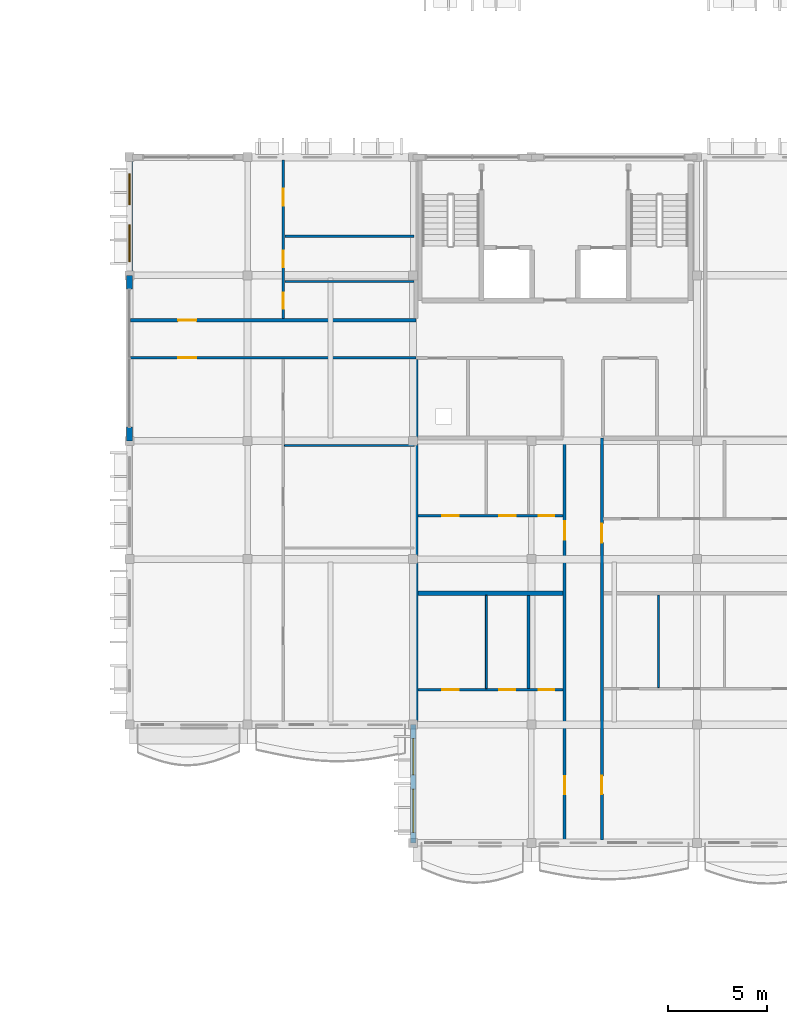
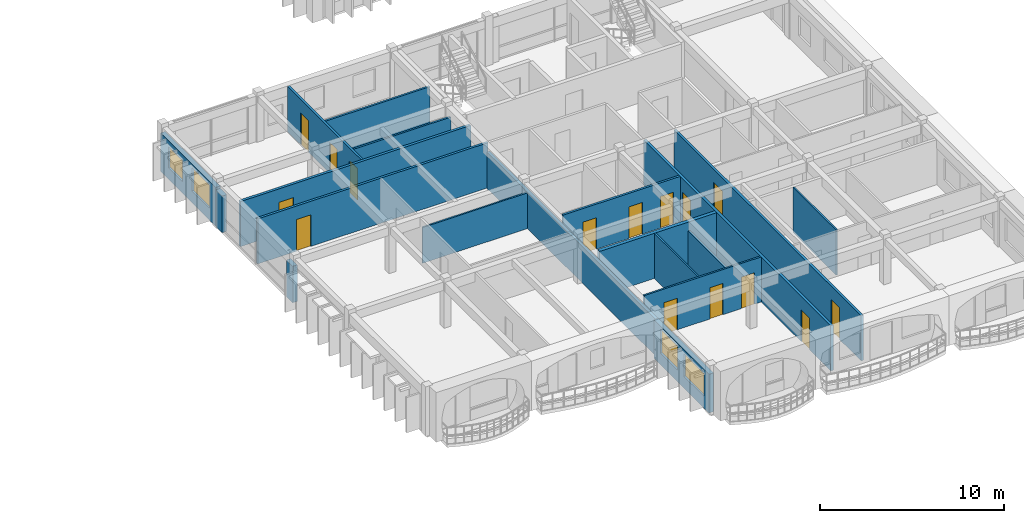
# One storey, part 40 of 76: 19 walls, 15 doors, 4 windows, 19 openings.
"""IFC4 building model written with IfcOpenShell, lengths in metres."""

import ifcopenshell
import ifcopenshell.guid

model = None  # the IFC model being written
_history = None  # IfcOwnerHistory: only IFC2X3 demands one
_inside = {}  # id of a spatial element -> (the spatial element, [elements in it])
_under = {}  # id of a project, library or spatial element -> (it, [spatial elements below it])
_declared = {}  # id of a project -> (the project, [libraries it declares])
_typed = {}  # id of a type object -> (the type object, [elements of that type])
_made_of = {}  # id of a material, layer set ... -> (it, [elements and type objects made of it])


def new_model(schema):
    """Start an empty IFC model of exactly this schema.

    Asked for "IFC4X3", IfcOpenShell would pick the latest addendum, in which some entities
    have other attributes; the version numbers below select the first issue.
    IFC2X3 requires an IfcOwnerHistory on every rooted entity: one is made here for all.
    """
    global model, _history
    if schema == "IFC4X3":
        model = ifcopenshell.file(schema_version=(4, 3, 0, 0))
    else:
        model = ifcopenshell.file(schema=schema)
    _inside.clear()
    _under.clear()
    _declared.clear()
    _typed.clear()
    _made_of.clear()
    _history = None
    if model.schema == "IFC2X3":
        org = make("IfcOrganization", Name="unknown")
        user = make(
            "IfcPersonAndOrganization",
            ThePerson=make("IfcPerson", FamilyName="unknown"),
            TheOrganization=org,
        )
        app = make(
            "IfcApplication",
            ApplicationDeveloper=org,
            Version="unknown",
            ApplicationFullName="unknown",
            ApplicationIdentifier="unknown",
        )
        _history = make(
            "IfcOwnerHistory",
            OwningUser=user,
            OwningApplication=app,
            ChangeAction="ADDED",
            CreationDate=0,
        )
    return model


def make(cls, **values):
    """One entity of the class cls with the attributes given. An attribute that is None is left unset."""
    return model.create_entity(
        cls, **{name: value for name, value in values.items() if value is not None}
    )


def rooted(cls, **values):
    """An entity with a GlobalId (a new one), such as an element, a storey or a relation."""
    return make(cls, GlobalId=ifcopenshell.guid.new(), OwnerHistory=_history, **values)


def si_unit(unit_type, name, prefix=None):
    """IfcSIUnit, for example si_unit("LENGTHUNIT", "METRE", prefix="MILLI")."""
    return make("IfcSIUnit", UnitType=unit_type, Prefix=prefix, Name=name)


def assignment(units):
    """IfcUnitAssignment: the units of a project."""
    return None if units is None else make("IfcUnitAssignment", Units=units)


def point(xyz):
    """IfcCartesianPoint."""
    return None if xyz is None else make("IfcCartesianPoint", Coordinates=xyz)


def direction(xyz):
    """IfcDirection."""
    return None if xyz is None else make("IfcDirection", DirectionRatios=xyz)


def frame(location, z_axis=None, x_axis=None):
    """IfcAxis2Placement3D, a coordinate frame: its origin and axes. An axis left out is left unset."""
    return make(
        "IfcAxis2Placement3D",
        Location=point(location),
        Axis=direction(z_axis),
        RefDirection=direction(x_axis),
    )


def frame_2d(location, x_axis=None):
    """IfcAxis2Placement2D, a coordinate frame in the plane: its origin and x axis."""
    return make(
        "IfcAxis2Placement2D", Location=point(location), RefDirection=direction(x_axis)
    )


def origin():
    """The frame at (0, 0, 0) with its axes left unset."""
    return frame((0.0, 0.0, 0.0))


def place(relative_to, where):
    """IfcLocalPlacement: puts the frame where relative to a parent placement (None: the world)."""
    return make(
        "IfcLocalPlacement", PlacementRelTo=relative_to, RelativePlacement=where
    )


def context(
    kind, dimensions, precision=None, world=None, true_north=None, identifier=None
):
    """IfcGeometricRepresentationContext, for example the 3D "Model" context."""
    return make(
        "IfcGeometricRepresentationContext",
        ContextIdentifier=identifier,
        ContextType=kind,
        CoordinateSpaceDimension=dimensions,
        Precision=precision,
        WorldCoordinateSystem=world,
        TrueNorth=true_north,
    )


def subcontext(parent, identifier, kind, view, scale=None):
    """IfcGeometricRepresentationSubContext, for example "Body" below "Model"."""
    return make(
        "IfcGeometricRepresentationSubContext",
        ContextIdentifier=identifier,
        ContextType=kind,
        ParentContext=parent,
        TargetScale=scale,
        TargetView=view,
    )


def project(units=None, contexts=None):
    """IfcProject with its units and contexts."""
    return rooted(
        "IfcProject",
        Name="project",
        RepresentationContexts=contexts,
        UnitsInContext=assignment(units),
    )


def spatial(cls, under=None, at=None, **own):
    """A site, building, storey or space (cls), placed at a placement, below another one or the project."""
    s = rooted(cls, ObjectPlacement=at, **own)
    if under is not None:
        _under.setdefault(under.id(), (under, []))[1].append(s)
    return s


def profile(cls, at=None, kind="AREA", **sizes):
    """A parametric profile (cls). Its sizes go by their IFC names, for example OverallWidth=200.0."""
    return make(cls, ProfileType=kind, Position=at, **sizes)


def rectangle(**sizes):
    """IfcRectangleProfileDef."""
    return profile("IfcRectangleProfileDef", **sizes)


def extrude(swept, where, along, depth):
    """IfcExtrudedAreaSolid: the profile swept, set in the frame where, extruded along a direction by depth."""
    return make(
        "IfcExtrudedAreaSolid",
        SweptArea=swept,
        Position=where,
        ExtrudedDirection=direction(along),
        Depth=depth,
    )


def shape(context_of_items, identifier, shape_type, items):
    """IfcShapeRepresentation: the items that make up one representation, for example the "Body"."""
    return make(
        "IfcShapeRepresentation",
        ContextOfItems=context_of_items,
        RepresentationIdentifier=identifier,
        RepresentationType=shape_type,
        Items=items,
    )


def material(Name=None, Category=None):
    """IfcMaterial."""
    return make("IfcMaterial", Name=Name, Category=Category)


def layer(
    of_material, thickness, ventilated=None, Name=None, Category=None, Priority=None
):
    """IfcMaterialLayer: one layer of a wall or slab, of a material (None: an air gap)."""
    return make(
        "IfcMaterialLayer",
        Material=of_material,
        LayerThickness=thickness,
        IsVentilated=ventilated,
        Name=Name,
        Category=Category,
        Priority=Priority,
    )


def layer_set(layers, Name=None):
    """IfcMaterialLayerSet."""
    return make("IfcMaterialLayerSet", MaterialLayers=layers, LayerSetName=Name)


def made_of(thing, what):
    """Note that an element or type object is made of a material, layer set ...; save() writes the relation."""
    if what is not None:
        _made_of.setdefault(what.id(), (what, []))[1].append(thing)
    return thing


def type_object(cls, material=None, **own):
    """A type object (cls), such as IfcWallType, which elements share."""
    return made_of(rooted(cls, **own), material)


def element(
    cls,
    number,
    at=None,
    inside=None,
    cuts=None,
    type_object=None,
    material=None,
    context=None,
    identifier="Body",
    shape_type=None,
    held_by="IfcProductDefinitionShape",
    body=None,
    shapes=None,
    **own,
):
    """One element of the class cls, such as IfcWall. Its Tag is "e" and its number.

    at: its placement. inside: the storey or other place that contains it. cuts: it is an
    opening in that element (IfcRelVoidsElement). A single representation is given by context,
    identifier, shape_type and body (its items); several are given by shapes. held_by: the class
    of the entity that holds the representations. save() writes the other relations.
    """
    e = rooted(cls, Tag="e%d" % number, ObjectPlacement=at, **own)
    if body is not None:
        shapes = [shape(context, identifier, shape_type, body)]
    if shapes is not None:
        e.Representation = make(held_by, Representations=shapes)
    if inside is not None:
        _inside.setdefault(inside.id(), (inside, []))[1].append(e)
    if cuts is not None:
        rooted(
            "IfcRelVoidsElement", RelatingBuildingElement=cuts, RelatedOpeningElement=e
        )
    if type_object is not None:
        _typed.setdefault(type_object.id(), (type_object, []))[1].append(e)
    return made_of(e, material)


def fill(opening, filler):
    """IfcRelFillsElement: the door or window that sits in an opening."""
    return rooted(
        "IfcRelFillsElement",
        RelatingOpeningElement=opening,
        RelatedBuildingElement=filler,
    )


def aggregate(whole, parts):
    """IfcRelAggregates: a whole, such as a stair, and the parts it consists of."""
    return rooted("IfcRelAggregates", RelatingObject=whole, RelatedObjects=parts)


def save(model, path):
    """Write the relations noted so far, then the file.

    IfcRelAggregates (storeys below a building ...), IfcRelContainedInSpatialStructure (elements
    in a storey), IfcRelDefinesByType, IfcRelAssociatesMaterial and IfcRelDeclares: one each for
    every whole, place, type object, material and project.
    """
    for whole, parts in _under.values():
        aggregate(whole, parts)
    for where, things in _inside.values():
        rooted(
            "IfcRelContainedInSpatialStructure",
            RelatedElements=things,
            RelatingStructure=where,
        )
    for kind, things in _typed.values():
        rooted("IfcRelDefinesByType", RelatedObjects=things, RelatingType=kind)
    for what, things in _made_of.values():
        rooted("IfcRelAssociatesMaterial", RelatedObjects=things, RelatingMaterial=what)
    for by, libraries in _declared.values():
        rooted("IfcRelDeclares", RelatingContext=by, RelatedDefinitions=libraries)
    model.write(path)


model = new_model("IFC4")

# Units and contexts
model_context = context("Model", 3, precision=1e-05, world=origin(), true_north=direction((0.0, 1.0)))
body_context = subcontext(model_context, "Body", "Model", "MODEL_VIEW")
ifc_project = project(units=[si_unit("LENGTHUNIT", "METRE"), si_unit("AREAUNIT", "SQUARE_METRE"), si_unit("VOLUMEUNIT", "CUBIC_METRE"), si_unit("PLANEANGLEUNIT", "RADIAN"), si_unit("MASSUNIT", "GRAM", prefix="KILO"), si_unit("THERMODYNAMICTEMPERATUREUNIT", "KELVIN")], contexts=[model_context])

# Site, building, storey
site_placement = place(None, origin())
site = spatial("IfcSite", under=ifc_project, at=site_placement, CompositionType="ELEMENT")
building_placement = place(site_placement, origin())
building = spatial("IfcBuilding", under=site, at=building_placement, Name="Thalorik Housing Commons", CompositionType="ELEMENT")
storey_placement = place(building_placement, frame((0.0, 0.0, 18.0)))
storey = spatial("IfcBuildingStorey", under=building, at=storey_placement, Name="L05", CompositionType="ELEMENT", Elevation=18.0)

# Wall, openings, doors
ifc_material_1 = material(Name="Masonry fire-rated corridor wall", Category="masonry")
ifc_layer_1 = layer(ifc_material_1, 0.14990234375, Name="Masonry fire-rated corridor wall", Category="masonry")
ifc_layer_set_1 = layer_set([ifc_layer_1], Name="Masonry fire-rated corridor wall")
wall_type_1 = type_object("IfcWallType", Name="ARC-WAL-CORR-150", PredefinedType="PARTITIONING", material=ifc_layer_set_1)
wall_1_placement = place(storey_placement, frame((161.97998046875, 37.346923828125, 0.0), z_axis=(0.0, 0.0, 1.0), x_axis=(0.0, 1.0, 0.0)))
wall_1 = element("IfcWall", 1, at=wall_1_placement, inside=storey, type_object=wall_type_1, Name="L05 Block D E Corridor Wall 2", PredefinedType="PARTITIONING", context=body_context, shape_type="SweptSolid", body=[
    extrude(rectangle(XDim=20.39306640625, YDim=0.14990234375, at=frame_2d((10.196533203125, 0.0))), origin(), (0.0, 0.0, 1.0), 3.0),
])
opening_1_placement = place(wall_1_placement, frame((2.326171875, 0.0, 0.0)))
opening_1 = element("IfcOpeningElement", 2, at=opening_1_placement, cuts=wall_1, Name="Opening ID-2089", PredefinedType="OPENING", context=body_context, shape_type="SweptSolid", body=[
    extrude(rectangle(XDim=0.919921875, YDim=2.10009765625, at=frame_2d((0.4599609375, 1.050048828125))), frame((0.0, 0.0849609375, 0.0), z_axis=(0.0, -1.0, 0.0), x_axis=(1.0, 0.0, 0.0)), (0.0, 0.0, 1.0), 0.169921875),
])
opening_2_placement = place(wall_1_placement, frame((15.090576171875, 0.0, 0.0)))
opening_2 = element("IfcOpeningElement", 3, at=opening_2_placement, cuts=wall_1, Name="Opening ID-2090", PredefinedType="OPENING", context=body_context, shape_type="SweptSolid", body=[
    extrude(rectangle(XDim=0.9599609375, YDim=2.1201171875, at=frame_2d((0.47998046875, 1.06005859375))), frame((0.0, 0.0849609375, 0.0), z_axis=(0.0, -1.0, 0.0), x_axis=(1.0, 0.0, 0.0)), (0.0, 0.0, 1.0), 0.169921875),
])
ifc_material_2 = material(Name="Solid core hardwood timber", Category="wood")
door_type_1 = type_object("IfcDoorType", Name="ARC-DR-FD30-920", OperationType="NOTDEFINED", PredefinedType="DOOR", material=ifc_material_2)
door_1_placement = place(opening_1_placement, origin())
door_1 = element("IfcDoor", 4, at=door_1_placement, inside=storey, type_object=door_type_1, Name="L05 Flat DE-1B Entrance Door", OperationType="SINGLE_SWING_RIGHT", OverallHeight=2.10009765625, OverallWidth=0.919921875, PredefinedType="DOOR", context=body_context, shape_type="SweptSolid", body=[
    extrude(rectangle(XDim=0.919921875, YDim=2.10009765625, at=frame_2d((0.4599609375, 1.050048828125))), frame((0.0, 0.02490234375, 0.0), z_axis=(0.0, -1.0, 0.0), x_axis=(1.0, 0.0, 0.0)), (0.0, 0.0, 1.0), 0.050048828125),
])
fill(opening_1, door_1)
door_type_2 = type_object("IfcDoorType", Name="ARC-DR-FD30-960", OperationType="NOTDEFINED", PredefinedType="DOOR", material=ifc_material_2)
door_2_placement = place(opening_2_placement, origin())
door_2 = element("IfcDoor", 5, at=door_2_placement, inside=storey, type_object=door_type_2, Name="L05 Flat DE-2B Entrance Door", OperationType="SINGLE_SWING_LEFT", OverallHeight=2.1201171875, OverallWidth=0.9599609375, PredefinedType="DOOR", context=body_context, shape_type="SweptSolid", body=[
    extrude(rectangle(XDim=0.9599609375, YDim=2.1201171875, at=frame_2d((0.47998046875, 1.06005859375))), frame((0.0, 0.02490234375, 0.0), z_axis=(0.0, -1.0, 0.0), x_axis=(1.0, 0.0, 0.0)), (0.0, 0.0, 1.0), 0.050048828125),
])
fill(opening_2, door_2)

# Wall, opening, door
wall_2_placement = place(storey_placement, frame((138.06005859375, 61.820068359375, 0.0), z_axis=(0.0, 0.0, 1.0), x_axis=(1.0, 0.0, 0.0)))
wall_2 = element("IfcWall", 6, at=wall_2_placement, inside=storey, type_object=wall_type_1, Name="L05 Block D R Corridor Wall 1", PredefinedType="PARTITIONING", context=body_context, shape_type="SweptSolid", body=[
    extrude(rectangle(XDim=14.47998046875, YDim=0.14990234375, at=frame_2d((7.239990234375, 0.0))), origin(), (0.0, 0.0, 1.0), 3.0),
])
opening_3_placement = place(wall_2_placement, frame((2.40869140625, 0.0, 0.0)))
opening_3 = element("IfcOpeningElement", 7, at=opening_3_placement, cuts=wall_2, Name="Opening ID-2098", PredefinedType="OPENING", context=body_context, shape_type="SweptSolid", body=[
    extrude(rectangle(XDim=0.919921875, YDim=2.10009765625, at=frame_2d((0.4599609375, 1.050048828125))), frame((0.0, 0.0849609375, 0.0), z_axis=(0.0, -1.0, 0.0), x_axis=(1.0, 0.0, 0.0)), (0.0, 0.0, 1.0), 0.169921875),
])
door_3_placement = place(opening_3_placement, origin())
door_3 = element("IfcDoor", 8, at=door_3_placement, inside=storey, type_object=door_type_1, Name="L05 Flat DR-1A Entrance Door", OperationType="SINGLE_SWING_LEFT", OverallHeight=2.10009765625, OverallWidth=0.919921875, PredefinedType="DOOR", context=body_context, shape_type="SweptSolid", body=[
    extrude(rectangle(XDim=0.919921875, YDim=2.10009765625, at=frame_2d((0.4599609375, 1.050048828125))), frame((0.0, 0.02490234375, 0.0), z_axis=(0.0, -1.0, 0.0), x_axis=(1.0, 0.0, 0.0)), (0.0, 0.0, 1.0), 0.050048828125),
])
fill(opening_3, door_3)

# Wall, openings, doors
ifc_layer_2 = layer(ifc_material_1, 0.1650390625, Name="Masonry fire-rated corridor wall", Category="masonry")
ifc_layer_set_2 = layer_set([ifc_layer_2], Name="Masonry fire-rated corridor wall")
wall_type_2 = type_object("IfcWallType", Name="ARC-WAL-CORR-165", PredefinedType="PARTITIONING", material=ifc_layer_set_2)
wall_3_placement = place(storey_placement, frame((160.080078125, 37.346923828125, 0.0), z_axis=(0.0, 0.0, 1.0), x_axis=(0.0, 1.0, 0.0)))
wall_3 = element("IfcWall", 9, at=wall_3_placement, inside=storey, type_object=wall_type_2, Name="L05 Block D E Corridor Wall 1", PredefinedType="PARTITIONING", context=body_context, shape_type="SweptSolid", body=[
    extrude(rectangle(XDim=20.39306640625, YDim=0.1650390625, at=frame_2d((10.196533203125, 0.0))), origin(), (0.0, 0.0, 1.0), 3.0),
])
opening_4_placement = place(wall_3_placement, frame((2.309814453125, 0.0, 0.0)))
opening_4 = element("IfcOpeningElement", 10, at=opening_4_placement, cuts=wall_3, Name="Opening ID-2087", PredefinedType="OPENING", context=body_context, shape_type="SweptSolid", body=[
    extrude(rectangle(XDim=0.919921875, YDim=2.10009765625, at=frame_2d((0.4599609375, 1.050048828125))), frame((0.0, 0.092529296875, 0.0), z_axis=(0.0, -1.0, 0.0), x_axis=(1.0, 0.0, 0.0)), (0.0, 0.0, 1.0), 0.18505859375),
])
opening_5_placement = place(wall_3_placement, frame((15.248046875, 0.0, 0.0)))
opening_5 = element("IfcOpeningElement", 11, at=opening_5_placement, cuts=wall_3, Name="Opening ID-2088", PredefinedType="OPENING", context=body_context, shape_type="SweptSolid", body=[
    extrude(rectangle(XDim=0.919921875, YDim=2.10009765625, at=frame_2d((0.4599609375, 1.050048828125))), frame((0.0, 0.092529296875, 0.0), z_axis=(0.0, -1.0, 0.0), x_axis=(1.0, 0.0, 0.0)), (0.0, 0.0, 1.0), 0.18505859375),
])
door_4_placement = place(opening_4_placement, origin())
door_4 = element("IfcDoor", 12, at=door_4_placement, inside=storey, type_object=door_type_1, Name="L05 Flat DE-1A Entrance Door", OperationType="SINGLE_SWING_RIGHT", OverallHeight=2.10009765625, OverallWidth=0.919921875, PredefinedType="DOOR", context=body_context, shape_type="SweptSolid", body=[
    extrude(rectangle(XDim=0.919921875, YDim=2.10009765625, at=frame_2d((0.4599609375, 1.050048828125))), frame((0.0, 0.02490234375, 0.0), z_axis=(0.0, -1.0, 0.0), x_axis=(1.0, 0.0, 0.0)), (0.0, 0.0, 1.0), 0.050048828125),
])
fill(opening_4, door_4)
door_5_placement = place(opening_5_placement, origin())
door_5 = element("IfcDoor", 13, at=door_5_placement, inside=storey, type_object=door_type_1, Name="L05 Flat DE-2A Entrance Door", OperationType="SINGLE_SWING_LEFT", OverallHeight=2.10009765625, OverallWidth=0.919921875, PredefinedType="DOOR", context=body_context, shape_type="SweptSolid", body=[
    extrude(rectangle(XDim=0.919921875, YDim=2.10009765625, at=frame_2d((0.4599609375, 1.050048828125))), frame((0.0, 0.02490234375, 0.0), z_axis=(0.0, -1.0, 0.0), x_axis=(1.0, 0.0, 0.0)), (0.0, 0.0, 1.0), 0.050048828125),
])
fill(opening_5, door_5)

# Wall, opening, door
wall_4_placement = place(storey_placement, frame((138.06005859375, 63.719970703125, 0.0), z_axis=(0.0, 0.0, 1.0), x_axis=(1.0, 0.0, 0.0)))
wall_4 = element("IfcWall", 14, at=wall_4_placement, inside=storey, type_object=wall_type_2, Name="L05 Block D R Corridor Wall 2", PredefinedType="PARTITIONING", context=body_context, shape_type="SweptSolid", body=[
    extrude(rectangle(XDim=14.47998046875, YDim=0.1650390625, at=frame_2d((7.239990234375, 0.0))), origin(), (0.0, 0.0, 1.0), 3.0),
])
opening_6_placement = place(wall_4_placement, frame((2.412353515625, 0.0, 0.0)))
opening_6 = element("IfcOpeningElement", 15, at=opening_6_placement, cuts=wall_4, Name="Opening ID-2099", PredefinedType="OPENING", context=body_context, shape_type="SweptSolid", body=[
    extrude(rectangle(XDim=0.919921875, YDim=2.10009765625, at=frame_2d((0.4599609375, 1.050048828125))), frame((0.0, 0.092529296875, 0.0), z_axis=(0.0, -1.0, 0.0), x_axis=(1.0, 0.0, 0.0)), (0.0, 0.0, 1.0), 0.18505859375),
])
door_6_placement = place(opening_6_placement, origin())
door_6 = element("IfcDoor", 16, at=door_6_placement, inside=storey, type_object=door_type_1, Name="L05 Flat DR-1B Entrance Door", OperationType="SINGLE_SWING_RIGHT", OverallHeight=2.10009765625, OverallWidth=0.919921875, PredefinedType="DOOR", context=body_context, shape_type="SweptSolid", body=[
    extrude(rectangle(XDim=0.919921875, YDim=2.10009765625, at=frame_2d((0.4599609375, 1.050048828125))), frame((0.0, 0.02490234375, 0.0), z_axis=(0.0, -1.0, 0.0), x_axis=(1.0, 0.0, 0.0)), (0.0, 0.0, 1.0), 0.050048828125),
])
fill(opening_6, door_6)

# Wall, openings, windows
ifc_material_3 = material(Name="White precast concrete C40/50", Category="concrete")
ifc_layer_3 = layer(ifc_material_3, 0.2900390625, Name="White precast concrete C40/50", Category="concrete")
ifc_layer_set_3 = layer_set([ifc_layer_3], Name="White precast concrete C40/50")
wall_type_3 = type_object("IfcWallType", Name="ARC-WAL-EXT-290", PredefinedType="STANDARD", material=ifc_layer_set_3)
wall_5_placement = place(storey_placement, frame((138.0, 72.0, 0.0), z_axis=(0.0, 0.0, 1.0), x_axis=(0.0, -1.0, 0.0)))
wall_5 = element("IfcWall", 17, at=wall_5_placement, inside=storey, type_object=wall_type_3, Name="L05 Exterior Wall WAL-EXT-L05-D-1207", PredefinedType="STANDARD", context=body_context, shape_type="SweptSolid", body=[
    extrude(rectangle(XDim=6.0, YDim=0.2900390625, at=frame_2d((3.0, 0.0))), origin(), (0.0, 0.0, 1.0), 2.574951171875),
])
opening_7_placement = place(wall_5_placement, frame((0.85498046875, 0.0, 0.780029296875)))
opening_7 = element("IfcOpeningElement", 18, at=opening_7_placement, cuts=wall_5, Name="Opening W-12", PredefinedType="OPENING", context=body_context, shape_type="SweptSolid", body=[
    extrude(rectangle(XDim=1.550048828125, YDim=1.39990234375, at=frame_2d((0.77490234375, 0.699951171875))), frame((0.0, 0.155029296875, 0.0), z_axis=(0.0, -1.0, 0.0), x_axis=(1.0, 0.0, 0.0)), (0.0, 0.0, 1.0), 0.31005859375),
])
opening_8_placement = place(wall_5_placement, frame((3.419921875, 0.0, 0.780029296875)))
opening_8 = element("IfcOpeningElement", 19, at=opening_8_placement, cuts=wall_5, Name="Opening W-21", PredefinedType="OPENING", context=body_context, shape_type="SweptSolid", body=[
    extrude(rectangle(XDim=1.89990234375, YDim=1.550048828125, at=frame_2d((0.949951171875, 0.77490234375))), frame((0.0, 0.155029296875, 0.0), z_axis=(0.0, -1.0, 0.0), x_axis=(1.0, 0.0, 0.0)), (0.0, 0.0, 1.0), 0.31005859375),
])
ifc_material_4 = material(Name="Anodised aluminium and solar-control low-E glass", Category="aluminium")
window_type_1 = type_object("IfcWindowType", Name="ARC-WIN-12", PartitioningType="SINGLE_PANEL", PredefinedType="WINDOW", material=ifc_material_4)
window_1_placement = place(opening_7_placement, origin())
window_1 = element("IfcWindow", 20, at=window_1_placement, inside=storey, type_object=window_type_1, Name="L05 Facade Window 2204", OverallHeight=1.39990234375, OverallWidth=1.550048828125, PartitioningType="SINGLE_PANEL", PredefinedType="WINDOW", context=body_context, shape_type="SweptSolid", body=[
    extrude(rectangle(XDim=1.550048828125, YDim=1.39990234375, at=frame_2d((0.77490234375, 0.699951171875))), frame((0.0, 0.030029296875, 0.0), z_axis=(0.0, -1.0, 0.0), x_axis=(1.0, 0.0, 0.0)), (0.0, 0.0, 1.0), 0.06005859375),
])
fill(opening_7, window_1)
window_type_2 = type_object("IfcWindowType", Name="ARC-WIN-21", PartitioningType="DOUBLE_PANEL_VERTICAL", PredefinedType="WINDOW", material=ifc_material_4)
window_2_placement = place(opening_8_placement, origin())
window_2 = element("IfcWindow", 21, at=window_2_placement, inside=storey, type_object=window_type_2, Name="L05 Facade Window 2205", OverallHeight=1.550048828125, OverallWidth=1.89990234375, PartitioningType="DOUBLE_PANEL_VERTICAL", PredefinedType="WINDOW", context=body_context, shape_type="SweptSolid", body=[
    extrude(rectangle(XDim=1.89990234375, YDim=1.550048828125, at=frame_2d((0.949951171875, 0.77490234375))), frame((0.0, 0.030029296875, 0.0), z_axis=(0.0, -1.0, 0.0), x_axis=(1.0, 0.0, 0.0)), (0.0, 0.0, 1.0), 0.06005859375),
])
fill(opening_8, window_2)

# Walls
for number, where, z_axis, x_axis, name in (
    (22, (138.0, 66.0, 0.0), (0.0, 0.0, 1.0), (0.0, -1.0, 0.0), "L05 Exterior Wall WAL-PIERL-L05-D-1208"),
    (23, (138.0, 58.300048828125, 0.0), (0.0, 0.0, 1.0), (0.0, -1.0, 0.0), "L05 Exterior Wall WAL-PIERR-L05-D-1208"),
):
    element("IfcWall", number, at=place(storey_placement, frame(where, z_axis=z_axis, x_axis=x_axis)), inside=storey, type_object=wall_type_3, Name=name, PredefinedType="STANDARD", context=body_context, shape_type="SweptSolid", body=[
        extrude(rectangle(XDim=0.699951171875, YDim=0.2900390625, at=frame_2d((0.35009765625, 0.0))), origin(), (0.0, 0.0, 1.0), 2.425048828125),
    ])

# Wall, openings, windows
wall_6_placement = place(storey_placement, frame((152.39990234375, 43.199951171875, 0.0), z_axis=(0.0, 0.0, 1.0), x_axis=(0.0, -1.0, 0.0)))
wall_6 = element("IfcWall", 24, at=wall_6_placement, inside=storey, type_object=wall_type_3, Name="L05 Exterior Wall WAL-EXT-L05-D-1213", PredefinedType="STANDARD", context=body_context, shape_type="SweptSolid", body=[
    extrude(rectangle(XDim=6.0, YDim=0.2900390625, at=frame_2d((3.0, 0.0))), origin(), (0.0, 0.0, 1.0), 2.574951171875),
])
opening_9_placement = place(wall_6_placement, frame((0.705078125, 0.0, 0.780029296875)))
opening_9 = element("IfcOpeningElement", 25, at=opening_9_placement, cuts=wall_6, Name="Opening W-20", PredefinedType="OPENING", context=body_context, shape_type="SweptSolid", body=[
    extrude(rectangle(XDim=1.85009765625, YDim=1.60009765625, at=frame_2d((0.925048828125, 0.800048828125))), frame((0.0, 0.155029296875, 0.0), z_axis=(0.0, -1.0, 0.0), x_axis=(1.0, 0.0, 0.0)), (0.0, 0.0, 1.0), 0.31005859375),
])
opening_10_placement = place(wall_6_placement, frame((3.27001953125, 0.0, 0.780029296875)))
opening_10 = element("IfcOpeningElement", 26, at=opening_10_placement, cuts=wall_6, Name="Opening W-29", PredefinedType="OPENING", context=body_context, shape_type="SweptSolid", body=[
    extrude(rectangle(XDim=2.199951171875, YDim=1.5, at=frame_2d((1.10009765625, 0.75))), frame((0.0, 0.155029296875, 0.0), z_axis=(0.0, -1.0, 0.0), x_axis=(1.0, 0.0, 0.0)), (0.0, 0.0, 1.0), 0.31005859375),
])
window_type_3 = type_object("IfcWindowType", Name="ARC-WIN-20", PartitioningType="DOUBLE_PANEL_VERTICAL", PredefinedType="WINDOW", material=ifc_material_4)
window_3_placement = place(opening_9_placement, origin())
window_3 = element("IfcWindow", 27, at=window_3_placement, inside=storey, type_object=window_type_3, Name="L05 Facade Window 2214", OverallHeight=1.60009765625, OverallWidth=1.85009765625, PartitioningType="DOUBLE_PANEL_VERTICAL", PredefinedType="WINDOW", context=body_context, shape_type="SweptSolid", body=[
    extrude(rectangle(XDim=1.85009765625, YDim=1.60009765625, at=frame_2d((0.925048828125, 0.800048828125))), frame((0.0, 0.030029296875, 0.0), z_axis=(0.0, -1.0, 0.0), x_axis=(1.0, 0.0, 0.0)), (0.0, 0.0, 1.0), 0.06005859375),
])
fill(opening_9, window_3)
window_type_4 = type_object("IfcWindowType", Name="ARC-WIN-29", PartitioningType="DOUBLE_PANEL_VERTICAL", PredefinedType="WINDOW", material=ifc_material_4)
window_4_placement = place(opening_10_placement, origin())
window_4 = element("IfcWindow", 28, at=window_4_placement, inside=storey, type_object=window_type_4, Name="L05 Facade Window 2215", OverallHeight=1.5, OverallWidth=2.199951171875, PartitioningType="DOUBLE_PANEL_VERTICAL", PredefinedType="WINDOW", context=body_context, shape_type="SweptSolid", body=[
    extrude(rectangle(XDim=2.199951171875, YDim=1.5, at=frame_2d((1.10009765625, 0.75))), frame((0.0, 0.030029296875, 0.0), z_axis=(0.0, -1.0, 0.0), x_axis=(1.0, 0.0, 0.0)), (0.0, 0.0, 1.0), 0.06005859375),
])
fill(opening_10, window_4)

# Walls
ifc_material_5 = material(Name="Gypsum light stud partition", Category="masonry")
ifc_layer_4 = layer(ifc_material_5, 0.10009765625, Name="Gypsum light stud partition", Category="masonry")
ifc_layer_set_4 = layer_set([ifc_layer_4], Name="Gypsum light stud partition")
wall_type_4 = type_object("IfcWallType", Name="ARC-WAL-PART-100", PredefinedType="PARTITIONING", material=ifc_layer_set_4)
wall_7_placement = place(storey_placement, frame((156.11767578125, 45.0244140625, 0.0), z_axis=(0.0, 0.0, 1.0), x_axis=(0.0, 1.0, 0.0)))
element("IfcWall", 29, at=wall_7_placement, inside=storey, type_object=wall_type_4, Name="L05 Unit 1 Bedroom Partition", PredefinedType="PARTITIONING", context=body_context, shape_type="SweptSolid", body=[
    extrude(rectangle(XDim=4.733642578125, YDim=0.10009765625, at=frame_2d((2.36669921875, 0.0))), origin(), (0.0, 0.0, 1.0), 3.0),
])
wall_8_placement = place(storey_placement, frame((164.850341796875, 45.077392578125, 0.0), z_axis=(0.0, 0.0, 1.0), x_axis=(0.0, 1.0, 0.0)))
element("IfcWall", 30, at=wall_8_placement, inside=storey, type_object=wall_type_4, Name="L05 Unit 1B Wet Wall", PredefinedType="PARTITIONING", context=body_context, shape_type="SweptSolid", body=[
    extrude(rectangle(XDim=4.697998046875, YDim=0.10009765625, at=frame_2d((2.34912109375, 0.0))), origin(), (0.0, 0.0, 1.0), 3.0),
])
wall_9_placement = place(storey_placement, frame((145.864501953125, 57.365478515625, 0.0), z_axis=(0.0, 0.0, 1.0), x_axis=(1.0, 0.0, 0.0)))
element("IfcWall", 31, at=wall_9_placement, inside=storey, type_object=wall_type_4, Name="L05 Unit 1 Wet Wall", PredefinedType="PARTITIONING", context=body_context, shape_type="SweptSolid", body=[
    extrude(rectangle(XDim=6.5810546875, YDim=0.10009765625, at=frame_2d((3.29052734375, 0.0))), origin(), (0.0, 0.0, 1.0), 2.375),
])

# Wall, openings, doors
ifc_material_6 = material(Name="Gypsum moisture-resistant partition", Category="masonry")
ifc_layer_5 = layer(ifc_material_6, 0.114990234375, Name="Gypsum moisture-resistant partition", Category="masonry")
ifc_layer_set_5 = layer_set([ifc_layer_5], Name="Gypsum moisture-resistant partition")
wall_type_5 = type_object("IfcWallType", Name="ARC-WAL-PART-115", PredefinedType="PARTITIONING", material=ifc_layer_set_5)
wall_10_placement = place(storey_placement, frame((152.634521484375, 44.965087890625, 0.0), z_axis=(0.0, 0.0, 1.0), x_axis=(1.0, 0.0, 0.0)))
wall_10 = element("IfcWall", 32, at=wall_10_placement, inside=storey, type_object=wall_type_5, Name="L05 Unit 1 Spine Partition", PredefinedType="PARTITIONING", context=body_context, shape_type="SweptSolid", body=[
    extrude(rectangle(XDim=7.361083984375, YDim=0.114990234375, at=frame_2d((3.6806640625, 0.0))), origin(), (0.0, 0.0, 1.0), 3.0),
])
opening_11_placement = place(wall_10_placement, frame((1.229248046875, 0.0, 0.0)))
opening_11 = element("IfcOpeningElement", 33, at=opening_11_placement, cuts=wall_10, Name="Opening ID-2075", PredefinedType="OPENING", context=body_context, shape_type="SweptSolid", body=[
    extrude(rectangle(XDim=0.85009765625, YDim=2.10009765625, at=frame_2d((0.425048828125, 1.050048828125))), frame((0.0, 0.0673828125, 0.0), z_axis=(0.0, -1.0, 0.0), x_axis=(1.0, 0.0, 0.0)), (0.0, 0.0, 1.0), 0.135009765625),
])
opening_12_placement = place(wall_10_placement, frame((4.125, 0.0, 0.0)))
opening_12 = element("IfcOpeningElement", 34, at=opening_12_placement, cuts=wall_10, Name="Opening ID-2076", PredefinedType="OPENING", context=body_context, shape_type="SweptSolid", body=[
    extrude(rectangle(XDim=0.820068359375, YDim=2.080078125, at=frame_2d((0.41015625, 1.0400390625))), frame((0.0, 0.0673828125, 0.0), z_axis=(0.0, -1.0, 0.0), x_axis=(1.0, 0.0, 0.0)), (0.0, 0.0, 1.0), 0.135009765625),
])
opening_13_placement = place(wall_10_placement, frame((6.131103515625, 0.0, 0.0)))
opening_13 = element("IfcOpeningElement", 35, at=opening_13_placement, cuts=wall_10, Name="Opening ID-2077", PredefinedType="OPENING", context=body_context, shape_type="SweptSolid", body=[
    extrude(rectangle(XDim=0.800048828125, YDim=2.10009765625, at=frame_2d((0.39990234375, 1.050048828125))), frame((0.0, 0.0673828125, 0.0), z_axis=(0.0, -1.0, 0.0), x_axis=(1.0, 0.0, 0.0)), (0.0, 0.0, 1.0), 0.135009765625),
])
ifc_material_7 = material(Name="Moisture-resistant timber", Category="wood")
door_type_3 = type_object("IfcDoorType", Name="ARC-DR-INT-800", OperationType="NOTDEFINED", PredefinedType="DOOR", material=ifc_material_7)
door_7_placement = place(opening_13_placement, origin())
door_7 = element("IfcDoor", 36, at=door_7_placement, inside=storey, type_object=door_type_3, Name="L05 Flat Bathroom Door", OperationType="SINGLE_SWING_RIGHT", OverallHeight=2.10009765625, OverallWidth=0.800048828125, PredefinedType="DOOR", context=body_context, shape_type="SweptSolid", body=[
    extrude(rectangle(XDim=0.800048828125, YDim=2.10009765625, at=frame_2d((0.39990234375, 1.050048828125))), frame((0.0, 0.02490234375, 0.0), z_axis=(0.0, -1.0, 0.0), x_axis=(1.0, 0.0, 0.0)), (0.0, 0.0, 1.0), 0.050048828125),
])
fill(opening_13, door_7)
ifc_material_8 = material(Name="Engineered oak timber", Category="wood")
door_type_4 = type_object("IfcDoorType", Name="ARC-DR-INT-820", OperationType="NOTDEFINED", PredefinedType="DOOR", material=ifc_material_8)
door_8_placement = place(opening_12_placement, origin())
door_8 = element("IfcDoor", 37, at=door_8_placement, inside=storey, type_object=door_type_4, Name="L05 Galley Kitchen Door", OperationType="SINGLE_SWING_LEFT", OverallHeight=2.080078125, OverallWidth=0.820068359375, PredefinedType="DOOR", context=body_context, shape_type="SweptSolid", body=[
    extrude(rectangle(XDim=0.820068359375, YDim=2.080078125, at=frame_2d((0.41015625, 1.0400390625))), frame((0.0, 0.02490234375, 0.0), z_axis=(0.0, -1.0, 0.0), x_axis=(1.0, 0.0, 0.0)), (0.0, 0.0, 1.0), 0.050048828125),
])
fill(opening_12, door_8)
door_type_5 = type_object("IfcDoorType", Name="ARC-DR-INT-850", OperationType="NOTDEFINED", PredefinedType="DOOR", material=ifc_material_8)
door_9_placement = place(opening_11_placement, origin())
door_9 = element("IfcDoor", 38, at=door_9_placement, inside=storey, type_object=door_type_5, Name="L05 Master Bedroom Door", OperationType="SINGLE_SWING_RIGHT", OverallHeight=2.10009765625, OverallWidth=0.85009765625, PredefinedType="DOOR", context=body_context, shape_type="SweptSolid", body=[
    extrude(rectangle(XDim=0.85009765625, YDim=2.10009765625, at=frame_2d((0.425048828125, 1.050048828125))), frame((0.0, 0.02490234375, 0.0), z_axis=(0.0, -1.0, 0.0), x_axis=(1.0, 0.0, 0.0)), (0.0, 0.0, 1.0), 0.050048828125),
])
fill(opening_11, door_9)

# Walls
wall_11_placement = place(storey_placement, frame((145.88232421875, 65.69287109375, 0.0), z_axis=(0.0, 0.0, 1.0), x_axis=(1.0, 0.0, 0.0)))
element("IfcWall", 39, at=wall_11_placement, inside=storey, type_object=wall_type_5, Name="L05 Unit 1B Wet Wall", PredefinedType="PARTITIONING", context=body_context, shape_type="SweptSolid", body=[
    extrude(rectangle(XDim=6.5556640625, YDim=0.114990234375, at=frame_2d((3.27783203125, 0.0))), origin(), (0.0, 0.0, 1.0), 2.375),
])
ifc_material_9 = material(Name="Gypsum acoustic stud partition", Category="masonry")
ifc_layer_6 = layer(ifc_material_9, 0.125, Name="Gypsum acoustic stud partition", Category="masonry")
ifc_layer_set_6 = layer_set([ifc_layer_6], Name="Gypsum acoustic stud partition")
wall_type_6 = type_object("IfcWallType", Name="ARC-WAL-PART-125", PredefinedType="PARTITIONING", material=ifc_layer_set_6)
wall_12_placement = place(storey_placement, frame((145.88232421875, 67.994384765625, 0.0), z_axis=(0.0, 0.0, 1.0), x_axis=(1.0, 0.0, 0.0)))
element("IfcWall", 40, at=wall_12_placement, inside=storey, type_object=wall_type_6, Name="L05 Unit 1B Bedroom Partition", PredefinedType="PARTITIONING", context=body_context, shape_type="SweptSolid", body=[
    extrude(rectangle(XDim=6.5556640625, YDim=0.125, at=frame_2d((3.27783203125, 0.0))), origin(), (0.0, 0.0, 1.0), 3.0),
])
ifc_material_10 = material(Name="Ceramic masonry partition wall", Category="masonry")
ifc_layer_7 = layer(ifc_material_10, 0.139892578125, Name="Ceramic masonry partition wall", Category="masonry")
ifc_layer_set_7 = layer_set([ifc_layer_7], Name="Ceramic masonry partition wall")
wall_type_7 = type_object("IfcWallType", Name="ARC-WAL-PART-140", PredefinedType="PARTITIONING", material=ifc_layer_set_7)
wall_13_placement = place(storey_placement, frame((158.251220703125, 45.0244140625, 0.0), z_axis=(0.0, 0.0, 1.0), x_axis=(0.0, 1.0, 0.0)))
element("IfcWall", 41, at=wall_13_placement, inside=storey, type_object=wall_type_7, Name="L05 Unit 1 Wet Wall", PredefinedType="PARTITIONING", context=body_context, shape_type="SweptSolid", body=[
    extrude(rectangle(XDim=4.733642578125, YDim=0.139892578125, at=frame_2d((2.36669921875, 0.0))), origin(), (0.0, 0.0, 1.0), 2.425048828125),
])

# Wall, openings, doors
wall_14_placement = place(storey_placement, frame((152.634521484375, 53.804931640625, 0.0), z_axis=(0.0, 0.0, 1.0), x_axis=(1.0, 0.0, 0.0)))
wall_14 = element("IfcWall", 42, at=wall_14_placement, inside=storey, type_object=wall_type_7, Name="L05 Unit 2 Spine Partition", PredefinedType="PARTITIONING", context=body_context, shape_type="SweptSolid", body=[
    extrude(rectangle(XDim=7.361083984375, YDim=0.139892578125, at=frame_2d((3.6806640625, 0.0))), origin(), (0.0, 0.0, 1.0), 3.0),
])
opening_14_placement = place(wall_14_placement, frame((1.229248046875, 0.0, 0.0)))
opening_14 = element("IfcOpeningElement", 43, at=opening_14_placement, cuts=wall_14, Name="Opening ID-2081", PredefinedType="OPENING", context=body_context, shape_type="SweptSolid", body=[
    extrude(rectangle(XDim=0.85009765625, YDim=2.10009765625, at=frame_2d((0.425048828125, 1.050048828125))), frame((0.0, 0.080078125, 0.0), z_axis=(0.0, -1.0, 0.0), x_axis=(1.0, 0.0, 0.0)), (0.0, 0.0, 1.0), 0.159912109375),
])
opening_15_placement = place(wall_14_placement, frame((4.125, 0.0, 0.0)))
opening_15 = element("IfcOpeningElement", 44, at=opening_15_placement, cuts=wall_14, Name="Opening ID-2082", PredefinedType="OPENING", context=body_context, shape_type="SweptSolid", body=[
    extrude(rectangle(XDim=0.85009765625, YDim=2.10009765625, at=frame_2d((0.425048828125, 1.050048828125))), frame((0.0, 0.080078125, 0.0), z_axis=(0.0, -1.0, 0.0), x_axis=(1.0, 0.0, 0.0)), (0.0, 0.0, 1.0), 0.159912109375),
])
opening_16_placement = place(wall_14_placement, frame((6.131103515625, 0.0, 0.0)))
opening_16 = element("IfcOpeningElement", 45, at=opening_16_placement, cuts=wall_14, Name="Opening ID-2083", PredefinedType="OPENING", context=body_context, shape_type="SweptSolid", body=[
    extrude(rectangle(XDim=0.800048828125, YDim=2.10009765625, at=frame_2d((0.39990234375, 1.050048828125))), frame((0.0, 0.080078125, 0.0), z_axis=(0.0, -1.0, 0.0), x_axis=(1.0, 0.0, 0.0)), (0.0, 0.0, 1.0), 0.159912109375),
])
door_10_placement = place(opening_16_placement, origin())
door_10 = element("IfcDoor", 46, at=door_10_placement, inside=storey, type_object=door_type_3, Name="L05 Flat Bathroom Door", OperationType="SINGLE_SWING_RIGHT", OverallHeight=2.10009765625, OverallWidth=0.800048828125, PredefinedType="DOOR", context=body_context, shape_type="SweptSolid", body=[
    extrude(rectangle(XDim=0.800048828125, YDim=2.10009765625, at=frame_2d((0.39990234375, 1.050048828125))), frame((0.0, 0.02490234375, 0.0), z_axis=(0.0, -1.0, 0.0), x_axis=(1.0, 0.0, 0.0)), (0.0, 0.0, 1.0), 0.050048828125),
])
fill(opening_16, door_10)
door_11_placement = place(opening_14_placement, origin())
door_11 = element("IfcDoor", 47, at=door_11_placement, inside=storey, type_object=door_type_5, Name="L05 Master Bedroom Door", OperationType="SINGLE_SWING_RIGHT", OverallHeight=2.10009765625, OverallWidth=0.85009765625, PredefinedType="DOOR", context=body_context, shape_type="SweptSolid", body=[
    extrude(rectangle(XDim=0.85009765625, YDim=2.10009765625, at=frame_2d((0.425048828125, 1.050048828125))), frame((0.0, 0.02490234375, 0.0), z_axis=(0.0, -1.0, 0.0), x_axis=(1.0, 0.0, 0.0)), (0.0, 0.0, 1.0), 0.050048828125),
])
fill(opening_14, door_11)
door_12_placement = place(opening_15_placement, origin())
door_12 = element("IfcDoor", 48, at=door_12_placement, inside=storey, type_object=door_type_5, Name="L05 Eat-In Kitchen Door", OperationType="SINGLE_SWING_LEFT", OverallHeight=2.10009765625, OverallWidth=0.85009765625, PredefinedType="DOOR", context=body_context, shape_type="SweptSolid", body=[
    extrude(rectangle(XDim=0.85009765625, YDim=2.10009765625, at=frame_2d((0.425048828125, 1.050048828125))), frame((0.0, 0.02490234375, 0.0), z_axis=(0.0, -1.0, 0.0), x_axis=(1.0, 0.0, 0.0)), (0.0, 0.0, 1.0), 0.050048828125),
])
fill(opening_15, door_12)

wall_15_placement = place(storey_placement, frame((145.810302734375, 63.804443359375, 0.0), z_axis=(0.0, 0.0, 1.0), x_axis=(0.0, 1.0, 0.0)))
wall_15 = element("IfcWall", 49, at=wall_15_placement, inside=storey, type_object=wall_type_7, Name="L05 Unit 1B Spine Partition", PredefinedType="PARTITIONING", context=body_context, shape_type="SweptSolid", body=[
    extrude(rectangle(XDim=8.048583984375, YDim=0.139892578125, at=frame_2d((4.0244140625, 0.0))), origin(), (0.0, 0.0, 1.0), 3.0),
])
opening_17_placement = place(wall_15_placement, frame((0.501953125, 0.0, 0.0)))
opening_17 = element("IfcOpeningElement", 50, at=opening_17_placement, cuts=wall_15, Name="Opening ID-2095", PredefinedType="OPENING", context=body_context, shape_type="SweptSolid", body=[
    extrude(rectangle(XDim=0.800048828125, YDim=2.10009765625, at=frame_2d((0.39990234375, 1.050048828125))), frame((0.0, 0.080078125, 0.0), z_axis=(0.0, -1.0, 0.0), x_axis=(1.0, 0.0, 0.0)), (0.0, 0.0, 1.0), 0.159912109375),
])
opening_18_placement = place(wall_15_placement, frame((2.614013671875, 0.0, 0.0)))
opening_18 = element("IfcOpeningElement", 51, at=opening_18_placement, cuts=wall_15, Name="Opening ID-2096", PredefinedType="OPENING", context=body_context, shape_type="SweptSolid", body=[
    extrude(rectangle(XDim=0.820068359375, YDim=2.080078125, at=frame_2d((0.41015625, 1.0400390625))), frame((0.0, 0.080078125, 0.0), z_axis=(0.0, -1.0, 0.0), x_axis=(1.0, 0.0, 0.0)), (0.0, 0.0, 1.0), 0.159912109375),
])
opening_19_placement = place(wall_15_placement, frame((5.73779296875, 0.0, 0.0)))
opening_19 = element("IfcOpeningElement", 52, at=opening_19_placement, cuts=wall_15, Name="Opening ID-2097", PredefinedType="OPENING", context=body_context, shape_type="SweptSolid", body=[
    extrude(rectangle(XDim=0.85009765625, YDim=2.10009765625, at=frame_2d((0.425048828125, 1.050048828125))), frame((0.0, 0.080078125, 0.0), z_axis=(0.0, -1.0, 0.0), x_axis=(1.0, 0.0, 0.0)), (0.0, 0.0, 1.0), 0.159912109375),
])
door_13_placement = place(opening_17_placement, origin())
door_13 = element("IfcDoor", 53, at=door_13_placement, inside=storey, type_object=door_type_3, Name="L05 Accessible Bathroom Door", OperationType="SINGLE_SWING_RIGHT", OverallHeight=2.10009765625, OverallWidth=0.800048828125, PredefinedType="DOOR", context=body_context, shape_type="SweptSolid", body=[
    extrude(rectangle(XDim=0.800048828125, YDim=2.10009765625, at=frame_2d((0.39990234375, 1.050048828125))), frame((0.0, 0.02490234375, 0.0), z_axis=(0.0, -1.0, 0.0), x_axis=(1.0, 0.0, 0.0)), (0.0, 0.0, 1.0), 0.050048828125),
])
fill(opening_17, door_13)
door_14_placement = place(opening_18_placement, origin())
door_14 = element("IfcDoor", 54, at=door_14_placement, inside=storey, type_object=door_type_4, Name="L05 Eat-In Kitchen Door", OperationType="SINGLE_SWING_LEFT", OverallHeight=2.080078125, OverallWidth=0.820068359375, PredefinedType="DOOR", context=body_context, shape_type="SweptSolid", body=[
    extrude(rectangle(XDim=0.820068359375, YDim=2.080078125, at=frame_2d((0.41015625, 1.0400390625))), frame((0.0, 0.02490234375, 0.0), z_axis=(0.0, -1.0, 0.0), x_axis=(1.0, 0.0, 0.0)), (0.0, 0.0, 1.0), 0.050048828125),
])
fill(opening_18, door_14)
door_15_placement = place(opening_19_placement, origin())
door_15 = element("IfcDoor", 55, at=door_15_placement, inside=storey, type_object=door_type_5, Name="L05 Double Bedroom Door", OperationType="SINGLE_SWING_RIGHT", OverallHeight=2.10009765625, OverallWidth=0.85009765625, PredefinedType="DOOR", context=body_context, shape_type="SweptSolid", body=[
    extrude(rectangle(XDim=0.85009765625, YDim=2.10009765625, at=frame_2d((0.425048828125, 1.050048828125))), frame((0.0, 0.02490234375, 0.0), z_axis=(0.0, -1.0, 0.0), x_axis=(1.0, 0.0, 0.0)), (0.0, 0.0, 1.0), 0.050048828125),
])
fill(opening_19, door_15)

# Walls
ifc_material_11 = material(Name="Masonry acoustic blockwork wall", Category="masonry")
ifc_layer_8 = layer(ifc_material_11, 0.18505859375, Name="Masonry acoustic blockwork wall", Category="masonry")
ifc_layer_set_8 = layer_set([ifc_layer_8], Name="Masonry acoustic blockwork wall")
wall_type_8 = type_object("IfcWallType", Name="ARC-WAL-PARTY-185", PredefinedType="PARTITIONING", material=ifc_layer_set_8)
wall_16_placement = place(storey_placement, frame((152.5400390625, 43.260009765625, 0.0), z_axis=(0.0, 0.0, 1.0), x_axis=(0.0, 1.0, 0.0)))
element("IfcWall", 56, at=wall_16_placement, inside=storey, type_object=wall_type_8, Name="L05 Core End Wall A", PredefinedType="PARTITIONING", context=body_context, shape_type="SweptSolid", body=[
    extrude(rectangle(XDim=18.464111328125, YDim=0.18505859375, at=frame_2d((9.23193359375, 0.0))), origin(), (0.0, 0.0, 1.0), 2.425048828125),
])
ifc_material_12 = material(Name="Precast concrete C40/50 acoustic wall", Category="concrete")
ifc_layer_9 = layer(ifc_material_12, 0.219970703125, Name="Precast concrete C40/50 acoustic wall", Category="concrete")
ifc_layer_set_9 = layer_set([ifc_layer_9], Name="Precast concrete C40/50 acoustic wall")
wall_type_9 = type_object("IfcWallType", Name="ARC-WAL-PARTY-220", PredefinedType="PARTITIONING", material=ifc_layer_set_9)
wall_17_placement = place(storey_placement, frame((152.634521484375, 49.8701171875, 0.0), z_axis=(0.0, 0.0, 1.0), x_axis=(1.0, 0.0, 0.0)))
element("IfcWall", 57, at=wall_17_placement, inside=storey, type_object=wall_type_9, Name="L05 Inter-Tenancy Wall 1A", PredefinedType="PARTITIONING", context=body_context, shape_type="SweptSolid", body=[
    extrude(rectangle(XDim=7.361083984375, YDim=0.219970703125, at=frame_2d((3.6806640625, 0.0))), origin(), (0.0, 0.0, 1.0), 3.0),
])

save(model, "model.ifc")
